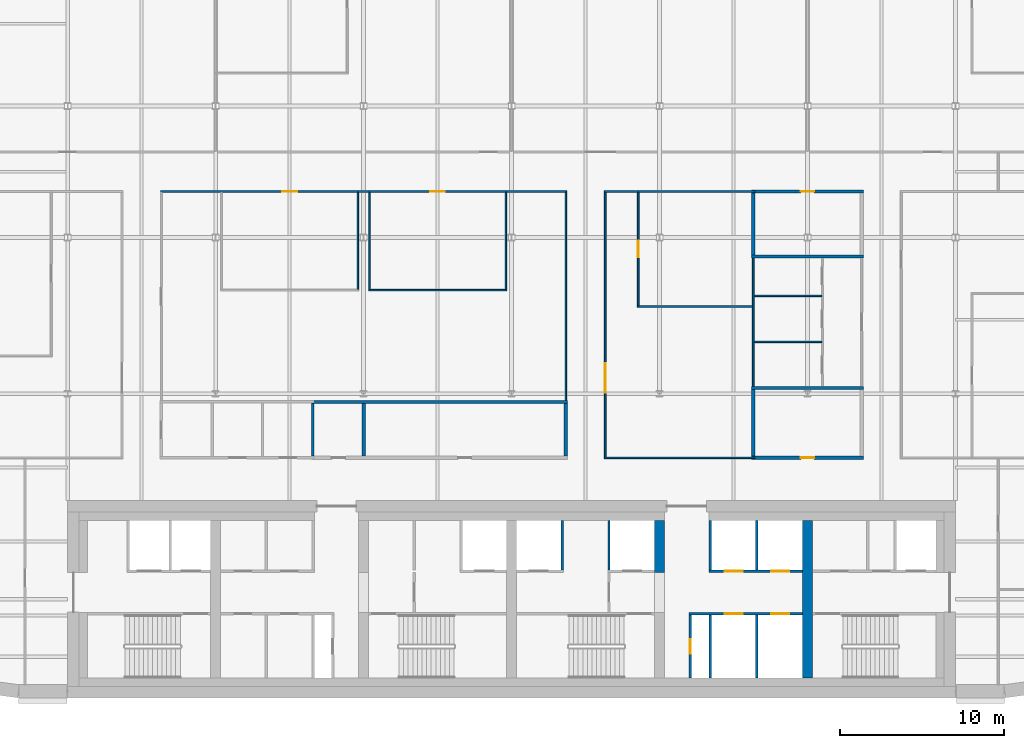
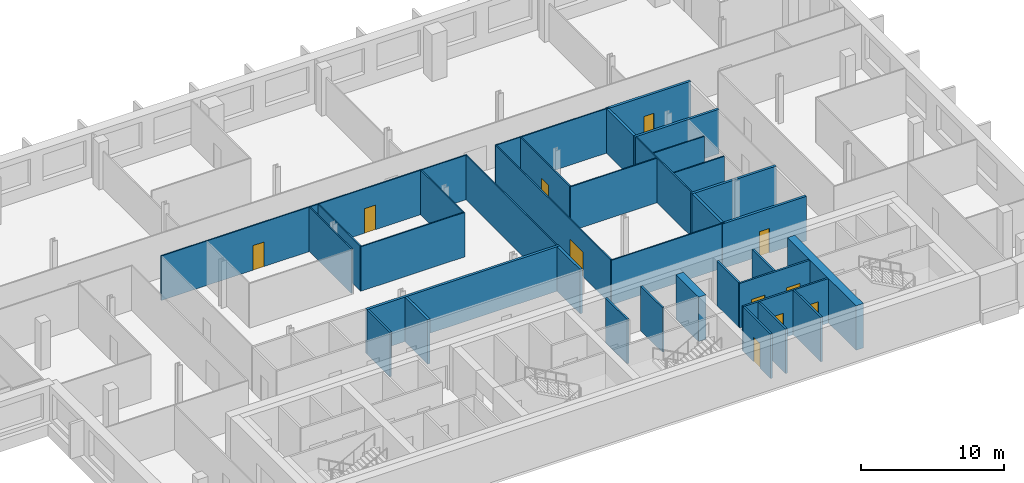
# One storey, part 9 of 17: 35 walls, 11 doors, 11 openings.
"""IFC4 building model written with IfcOpenShell, lengths in metres."""

from ifc_helpers import new_model, si_unit, direction, frame, frame_2d, origin, place, context, subcontext, project, spatial, rectangle, extrude, material, layer, layer_set, type_object, element, fill, save


model = new_model("IFC4")

# Units and contexts
model_context = context("Model", 3, precision=1e-05, world=origin(), true_north=direction((0.0, 1.0)))
body_context = subcontext(model_context, "Body", "Model", "MODEL_VIEW")
ifc_project = project(units=[si_unit("LENGTHUNIT", "METRE"), si_unit("AREAUNIT", "SQUARE_METRE"), si_unit("VOLUMEUNIT", "CUBIC_METRE"), si_unit("PLANEANGLEUNIT", "RADIAN"), si_unit("MASSUNIT", "GRAM", prefix="KILO")], contexts=[model_context])

# Site, building, storey
site_placement = place(None, origin())
site = spatial("IfcSite", under=ifc_project, at=site_placement, CompositionType="ELEMENT")
building_placement = place(site_placement, origin())
building = spatial("IfcBuilding", under=site, at=building_placement, Name="Zellij Exchange Tower", CompositionType="ELEMENT")
storey_placement = place(building_placement, frame((0.0, 0.0, 224.5)))
storey = spatial("IfcBuildingStorey", under=building, at=storey_placement, Name="L52", CompositionType="ELEMENT", Elevation=224.5)

# Walls
ifc_material_1 = material(Name="Concrete C50/60", Category="concrete")
ifc_layer_1 = layer(ifc_material_1, 0.60009765625)
ifc_layer_set_1 = layer_set([ifc_layer_1], Name="Concrete C50/60")
wall_type_1 = type_object("IfcWallType", Name="CORE-CW 600 C50/60", PredefinedType="SHEAR", material=ifc_layer_set_1)
wall_1_placement = place(storey_placement, frame((9.0, -6.375, 0.0), z_axis=(0.0, 0.0, 1.0), x_axis=(0.0, 1.0, 0.0)))
element("IfcWall", 1, at=wall_1_placement, inside=storey, type_object=wall_type_1, Name="Core cross wall pier x 9 b L52", PredefinedType="SHEAR", context=body_context, shape_type="SweptSolid", body=[
    extrude(rectangle(XDim=3.175048828125, YDim=0.60009765625, at=frame_2d((1.58740234375, 0.0))), origin(), (0.0, 0.0, 1.0), 3.800048828125),
])
wall_2_placement = place(storey_placement, frame((18.0, -12.800048828125, 0.0), z_axis=(0.0, 0.0, 1.0), x_axis=(0.0, 1.0, 0.0)))
element("IfcWall", 2, at=wall_2_placement, inside=storey, type_object=wall_type_1, Name="Core cross wall x 18 L52", PredefinedType="SHEAR", context=body_context, shape_type="SweptSolid", body=[
    extrude(rectangle(XDim=9.60009765625, YDim=0.60009765625, at=frame_2d((4.800048828125, 0.0))), origin(), (0.0, 0.0, 1.0), 3.800048828125),
])

# Wall, opening, door
ifc_material_2 = material(Name="Gypsum board partition")
ifc_layer_2 = layer(ifc_material_2, 0.14990234375)
ifc_layer_set_2 = layer_set([ifc_layer_2], Name="Gypsum board partition")
wall_type_2 = type_object("IfcWallType", Name="CORE-PW 150 Lift lobby wall", PredefinedType="PARTITIONING", material=ifc_layer_set_2)
wall_3_placement = place(storey_placement, frame((10.875, -12.800048828125, 0.0), z_axis=(0.0, 0.0, 1.0), x_axis=(0.0, 1.0, 0.0)))
wall_3 = element("IfcWall", 3, at=wall_3_placement, inside=storey, type_object=wall_type_2, Name="Lift lobby wall L52", PredefinedType="PARTITIONING", context=body_context, shape_type="SweptSolid", body=[
    extrude(rectangle(XDim=3.85009765625, YDim=0.14990234375, at=frame_2d((1.925048828125, 0.0))), origin(), (0.0, 0.0, 1.0), 3.800048828125),
])
opening_1_placement = place(wall_3_placement, frame((1.47509765625, 0.0, 0.0)))
opening_1 = element("IfcOpeningElement", 4, at=opening_1_placement, cuts=wall_3, Name="Opening CA-28.19", PredefinedType="OPENING", context=body_context, shape_type="SweptSolid", body=[
    extrude(rectangle(XDim=0.89990234375, YDim=2.10009765625, at=frame_2d((0.449951171875, 1.050048828125))), frame((0.0, 0.0869140625, 0.0), z_axis=(0.0, -1.0, 0.0), x_axis=(1.0, 0.0, 0.0)), (0.0, 0.0, 1.0), 0.173828125),
])
ifc_material_3 = material(Name="Hollow metal fire door")
door_type_1 = type_object("IfcDoorType", Name="CORE-D RD Riser door 900x2100 1.5 HR", OperationType="NOTDEFINED", PredefinedType="DOOR", material=ifc_material_3)
door_1_placement = place(opening_1_placement, origin())
door_1 = element("IfcDoor", 5, at=door_1_placement, inside=storey, type_object=door_type_1, Name="Riser door CA-28.19", OperationType="SINGLE_SWING_LEFT", OverallHeight=2.10009765625, OverallWidth=0.89990234375, PredefinedType="DOOR", context=body_context, shape_type="SweptSolid", body=[
    extrude(rectangle(XDim=0.89990234375, YDim=2.10009765625, at=frame_2d((0.449951171875, 1.050048828125))), frame((0.0, 0.02490234375, 0.0), z_axis=(0.0, -1.0, 0.0), x_axis=(1.0, 0.0, 0.0)), (0.0, 0.0, 1.0), 0.050048828125),
])
fill(opening_1, door_1)

# Walls
ifc_material_4 = material(Name="Gypsum shaft wall system")
ifc_layer_3 = layer(ifc_material_4, 0.14990234375)
ifc_layer_set_3 = layer_set([ifc_layer_3], Name="Gypsum shaft wall system")
wall_type_3 = type_object("IfcWallType", Name="CORE-PW 150 Lift shaft wall", PredefinedType="PARTITIONING", material=ifc_layer_set_3)
for number, where, z_axis, x_axis, name in (
    (6, (3.074951171875, -6.22509765625, 0.0), (0.0, 0.0, 1.0), (0.0, 1.0, 0.0), "Lift shaft wall L52"),
    (7, (5.925048828125, -6.22509765625, 0.0), (0.0, 0.0, 1.0), (0.0, 1.0, 0.0), "Lift shaft wall L52"),
    (8, (12.074951171875, -6.22509765625, 0.0), (0.0, 0.0, 1.0), (0.0, 1.0, 0.0), "Lift shaft wall L52"),
    (9, (14.925048828125, -6.22509765625, 0.0), (0.0, 0.0, 1.0), (0.0, 1.0, 0.0), "Lift shaft wall L52"),
):
    element("IfcWall", number, at=place(storey_placement, frame(where, z_axis=z_axis, x_axis=x_axis)), inside=storey, type_object=wall_type_3, Name=name, PredefinedType="PARTITIONING", context=body_context, shape_type="SweptSolid", body=[
        extrude(rectangle(XDim=3.025146484375, YDim=0.14990234375, at=frame_2d((1.5126953125, 0.0))), origin(), (0.0, 0.0, 1.0), 3.800048828125),
    ])
for number, where, z_axis, x_axis, name in (
    (10, (12.074951171875, -12.800048828125, 0.0), (0.0, 0.0, 1.0), (0.0, 1.0, 0.0), "Lift shaft wall L52"),
    (11, (14.925048828125, -12.800048828125, 0.0), (0.0, 0.0, 1.0), (0.0, 1.0, 0.0), "Lift shaft wall L52"),
):
    element("IfcWall", number, at=place(storey_placement, frame(where, z_axis=z_axis, x_axis=x_axis)), inside=storey, type_object=wall_type_3, Name=name, PredefinedType="PARTITIONING", context=body_context, shape_type="SweptSolid", body=[
        extrude(rectangle(XDim=3.85009765625, YDim=0.14990234375, at=frame_2d((1.925048828125, 0.0))), origin(), (0.0, 0.0, 1.0), 3.800048828125),
    ])

# Wall, openings, doors
wall_4_placement = place(storey_placement, frame((12.0, -6.300048828125, 0.0), z_axis=(0.0, 0.0, 1.0), x_axis=(1.0, 0.0, 0.0)))
wall_4 = element("IfcWall", 12, at=wall_4_placement, inside=storey, type_object=wall_type_3, Name="Lift shaft wall L52", PredefinedType="PARTITIONING", context=body_context, shape_type="SweptSolid", body=[
    extrude(rectangle(XDim=5.699951171875, YDim=0.14990234375, at=frame_2d((2.85009765625, 0.0))), origin(), (0.0, 0.0, 1.0), 3.800048828125),
])
opening_2_placement = place(wall_4_placement, frame((0.949951171875, 0.0, 0.0)))
opening_2 = element("IfcOpeningElement", 13, at=opening_2_placement, cuts=wall_4, Name="Opening CA-28.21", PredefinedType="OPENING", context=body_context, shape_type="SweptSolid", body=[
    extrude(rectangle(XDim=1.10009765625, YDim=2.10009765625, at=frame_2d((0.550048828125, 1.050048828125))), frame((0.0, 0.0869140625, 0.0), z_axis=(0.0, -1.0, 0.0), x_axis=(1.0, 0.0, 0.0)), (0.0, 0.0, 1.0), 0.173828125),
])
opening_3_placement = place(wall_4_placement, frame((3.800048828125, 0.0, 0.0)))
opening_3 = element("IfcOpeningElement", 14, at=opening_3_placement, cuts=wall_4, Name="Opening CA-28.23", PredefinedType="OPENING", context=body_context, shape_type="SweptSolid", body=[
    extrude(rectangle(XDim=1.10009765625, YDim=2.10009765625, at=frame_2d((0.550048828125, 1.050048828125))), frame((0.0, 0.0869140625, 0.0), z_axis=(0.0, -1.0, 0.0), x_axis=(1.0, 0.0, 0.0)), (0.0, 0.0, 1.0), 0.173828125),
])
door_type_2 = type_object("IfcDoorType", Name="CORE-D LD Lift landing door 1100x2100 1.5 HR", OperationType="NOTDEFINED", PredefinedType="DOOR", material=ifc_material_3)
door_2_placement = place(opening_2_placement, origin())
door_2 = element("IfcDoor", 15, at=door_2_placement, inside=storey, type_object=door_type_2, Name="Lift landing door CA-28.21", OperationType="SLIDING_TO_LEFT", OverallHeight=2.10009765625, OverallWidth=1.10009765625, PredefinedType="DOOR", context=body_context, shape_type="SweptSolid", body=[
    extrude(rectangle(XDim=1.10009765625, YDim=2.10009765625, at=frame_2d((0.550048828125, 1.050048828125))), frame((0.0, 0.02490234375, 0.0), z_axis=(0.0, -1.0, 0.0), x_axis=(1.0, 0.0, 0.0)), (0.0, 0.0, 1.0), 0.050048828125),
])
fill(opening_2, door_2)
door_3_placement = place(opening_3_placement, origin())
door_3 = element("IfcDoor", 16, at=door_3_placement, inside=storey, type_object=door_type_2, Name="Lift landing door CA-28.23", OperationType="SLIDING_TO_LEFT", OverallHeight=2.10009765625, OverallWidth=1.10009765625, PredefinedType="DOOR", context=body_context, shape_type="SweptSolid", body=[
    extrude(rectangle(XDim=1.10009765625, YDim=2.10009765625, at=frame_2d((0.550048828125, 1.050048828125))), frame((0.0, 0.02490234375, 0.0), z_axis=(0.0, -1.0, 0.0), x_axis=(1.0, 0.0, 0.0)), (0.0, 0.0, 1.0), 0.050048828125),
])
fill(opening_3, door_3)

wall_5_placement = place(storey_placement, frame((10.800048828125, -8.875, 0.0), z_axis=(0.0, 0.0, 1.0), x_axis=(1.0, 0.0, 0.0)))
wall_5 = element("IfcWall", 17, at=wall_5_placement, inside=storey, type_object=wall_type_3, Name="Lift shaft wall L52", PredefinedType="PARTITIONING", context=body_context, shape_type="SweptSolid", body=[
    extrude(rectangle(XDim=6.89990234375, YDim=0.14990234375, at=frame_2d((3.449951171875, 0.0))), origin(), (0.0, 0.0, 1.0), 3.800048828125),
])
opening_4_placement = place(wall_5_placement, frame((2.14990234375, 0.0, 0.0)))
opening_4 = element("IfcOpeningElement", 18, at=opening_4_placement, cuts=wall_5, Name="Opening CA-28.20", PredefinedType="OPENING", context=body_context, shape_type="SweptSolid", body=[
    extrude(rectangle(XDim=1.10009765625, YDim=2.10009765625, at=frame_2d((0.550048828125, 1.050048828125))), frame((0.0, 0.0869140625, 0.0), z_axis=(0.0, -1.0, 0.0), x_axis=(1.0, 0.0, 0.0)), (0.0, 0.0, 1.0), 0.173828125),
])
opening_5_placement = place(wall_5_placement, frame((5.0, 0.0, 0.0)))
opening_5 = element("IfcOpeningElement", 19, at=opening_5_placement, cuts=wall_5, Name="Opening CA-28.22", PredefinedType="OPENING", context=body_context, shape_type="SweptSolid", body=[
    extrude(rectangle(XDim=1.10009765625, YDim=2.10009765625, at=frame_2d((0.550048828125, 1.050048828125))), frame((0.0, 0.0869140625, 0.0), z_axis=(0.0, -1.0, 0.0), x_axis=(1.0, 0.0, 0.0)), (0.0, 0.0, 1.0), 0.173828125),
])
door_4_placement = place(opening_4_placement, origin())
door_4 = element("IfcDoor", 20, at=door_4_placement, inside=storey, type_object=door_type_2, Name="Lift landing door CA-28.20", OperationType="SLIDING_TO_RIGHT", OverallHeight=2.10009765625, OverallWidth=1.10009765625, PredefinedType="DOOR", context=body_context, shape_type="SweptSolid", body=[
    extrude(rectangle(XDim=1.10009765625, YDim=2.10009765625, at=frame_2d((0.550048828125, 1.050048828125))), frame((0.0, 0.02490234375, 0.0), z_axis=(0.0, -1.0, 0.0), x_axis=(1.0, 0.0, 0.0)), (0.0, 0.0, 1.0), 0.050048828125),
])
fill(opening_4, door_4)
door_5_placement = place(opening_5_placement, origin())
door_5 = element("IfcDoor", 21, at=door_5_placement, inside=storey, type_object=door_type_2, Name="Lift landing door CA-28.22", OperationType="SLIDING_TO_RIGHT", OverallHeight=2.10009765625, OverallWidth=1.10009765625, PredefinedType="DOOR", context=body_context, shape_type="SweptSolid", body=[
    extrude(rectangle(XDim=1.10009765625, YDim=2.10009765625, at=frame_2d((0.550048828125, 1.050048828125))), frame((0.0, 0.02490234375, 0.0), z_axis=(0.0, -1.0, 0.0), x_axis=(1.0, 0.0, 0.0)), (0.0, 0.0, 1.0), 0.050048828125),
])
fill(opening_5, door_5)

# Walls
ifc_material_5 = material(Name="Blockwork partition", Category="masonry")
ifc_layer_4 = layer(ifc_material_5, 0.199951171875)
ifc_layer_set_4 = layer_set([ifc_layer_4], Name="Blockwork partition")
wall_type_4 = type_object("IfcWallType", Name="FIT-BLOCKWORK-200", PredefinedType="PARTITIONING", material=ifc_layer_set_4)
for number, where, z_axis, x_axis, name in (
    (22, (-9.0, 0.699951171875, 0.0), (0.0, 0.0, 1.0), (0.0, 1.0, 0.0), "FIT-BLOCKWORK-200 012"),
    (23, (3.300048828125, 0.699951171875, 0.0), (0.0, 0.0, 1.0), (0.0, 1.0, 0.0), "FIT-BLOCKWORK-200 013"),
):
    element("IfcWall", number, at=place(storey_placement, frame(where, z_axis=z_axis, x_axis=x_axis)), inside=storey, type_object=wall_type_4, Name=name, PredefinedType="PARTITIONING", context=body_context, shape_type="SweptSolid", body=[
        extrude(rectangle(XDim=3.199951171875, YDim=0.199951171875, at=frame_2d((1.60009765625, 0.0))), origin(), (0.0, 0.0, 1.0), 3.800048828125),
    ])

# Wall, opening, door
wall_6_placement = place(storey_placement, frame((14.60009765625, 0.60009765625, 0.0), z_axis=(0.0, 0.0, 1.0), x_axis=(1.0, 0.0, 0.0)))
wall_6 = element("IfcWall", 24, at=wall_6_placement, inside=storey, type_object=wall_type_4, Name="FIT-BLOCKWORK-200 016", PredefinedType="PARTITIONING", context=body_context, shape_type="SweptSolid", body=[
    extrude(rectangle(XDim=6.7998046875, YDim=0.199951171875, at=frame_2d((3.39990234375, 0.0))), origin(), (0.0, 0.0, 1.0), 3.800048828125),
])
opening_6_placement = place(wall_6_placement, frame((3.0, 0.0, 0.0)))
opening_6 = element("IfcOpeningElement", 25, at=opening_6_placement, cuts=wall_6, Name="Opening O4A.07", PredefinedType="OPENING", context=body_context, shape_type="SweptSolid", body=[
    extrude(rectangle(XDim=0.800048828125, YDim=2.10009765625, at=frame_2d((0.39990234375, 1.050048828125))), frame((0.0, 0.11181640625, 0.0), z_axis=(0.0, -1.0, 0.0), x_axis=(1.0, 0.0, 0.0)), (0.0, 0.0, 1.0), 0.223876953125),
])
ifc_material_6 = material(Name="Timber door set", Category="wood")
door_type_3 = type_object("IfcDoorType", Name="FIT-D6-SERVICE-800X2100", OperationType="SINGLE_SWING_LEFT", PredefinedType="DOOR", material=ifc_material_6)
door_6_placement = place(opening_6_placement, origin())
door_6 = element("IfcDoor", 26, at=door_6_placement, inside=storey, type_object=door_type_3, Name="Door O4A.07", OperationType="SINGLE_SWING_RIGHT", OverallHeight=2.10009765625, OverallWidth=0.800048828125, PredefinedType="DOOR", context=body_context, shape_type="SweptSolid", body=[
    extrude(rectangle(XDim=0.800048828125, YDim=2.10009765625, at=frame_2d((0.39990234375, 1.050048828125))), frame((0.0, 0.02490234375, 0.0), z_axis=(0.0, -1.0, 0.0), x_axis=(1.0, 0.0, 0.0)), (0.0, 0.0, 1.0), 0.050048828125),
])
fill(opening_6, door_6)

# Walls
wall_7_placement = place(storey_placement, frame((14.699951171875, 0.699951171875, 0.0), z_axis=(0.0, 0.0, 1.0), x_axis=(0.0, 1.0, 0.0)))
element("IfcWall", 27, at=wall_7_placement, inside=storey, type_object=wall_type_4, Name="FIT-BLOCKWORK-200 017", PredefinedType="PARTITIONING", context=body_context, shape_type="SweptSolid", body=[
    extrude(rectangle(XDim=4.050048828125, YDim=0.199951171875, at=frame_2d((2.02490234375, 0.0))), origin(), (0.0, 0.0, 1.0), 3.800048828125),
])
wall_8_placement = place(storey_placement, frame((-12.155029296875, 4.0, 0.0), z_axis=(0.0, 0.0, 1.0), x_axis=(1.0, 0.0, 0.0)))
element("IfcWall", 28, at=wall_8_placement, inside=storey, type_object=wall_type_4, Name="FIT-BLOCKWORK-200 024", PredefinedType="PARTITIONING", context=body_context, shape_type="SweptSolid", body=[
    extrude(rectangle(XDim=15.554931640625, YDim=0.199951171875, at=frame_2d((7.77734375, 0.0))), origin(), (0.0, 0.0, 1.0), 3.800048828125),
])
for number, where, z_axis, x_axis, name in (
    (29, (14.60009765625, 4.85009765625, 0.0), (0.0, 0.0, 1.0), (1.0, 0.0, 0.0), "FIT-BLOCKWORK-200 026"),
    (30, (14.60009765625, 12.85009765625, 0.0), (0.0, 0.0, 1.0), (1.0, 0.0, 0.0), "FIT-BLOCKWORK-200 047"),
):
    element("IfcWall", number, at=place(storey_placement, frame(where, z_axis=z_axis, x_axis=x_axis)), inside=storey, type_object=wall_type_4, Name=name, PredefinedType="PARTITIONING", context=body_context, shape_type="SweptSolid", body=[
        extrude(rectangle(XDim=6.7998046875, YDim=0.199951171875, at=frame_2d((3.39990234375, 0.0))), origin(), (0.0, 0.0, 1.0), 3.800048828125),
    ])
wall_9_placement = place(storey_placement, frame((14.699951171875, 12.949951171875, 0.0), z_axis=(0.0, 0.0, 1.0), x_axis=(0.0, 1.0, 0.0)))
element("IfcWall", 31, at=wall_9_placement, inside=storey, type_object=wall_type_4, Name="FIT-BLOCKWORK-200 048", PredefinedType="PARTITIONING", context=body_context, shape_type="SweptSolid", body=[
    extrude(rectangle(XDim=3.75, YDim=0.199951171875, at=frame_2d((1.875, 0.0))), origin(), (0.0, 0.0, 1.0), 3.800048828125),
])

# Wall, opening, door
wall_10_placement = place(storey_placement, frame((14.60009765625, 16.800048828125, 0.0), z_axis=(0.0, 0.0, 1.0), x_axis=(1.0, 0.0, 0.0)))
wall_10 = element("IfcWall", 32, at=wall_10_placement, inside=storey, type_object=wall_type_4, Name="FIT-BLOCKWORK-200 055", PredefinedType="PARTITIONING", context=body_context, shape_type="SweptSolid", body=[
    extrude(rectangle(XDim=6.7998046875, YDim=0.199951171875, at=frame_2d((3.39990234375, 0.0))), origin(), (0.0, 0.0, 1.0), 3.800048828125),
])
opening_7_placement = place(wall_10_placement, frame((3.0, 0.0, 0.0)))
opening_7 = element("IfcOpeningElement", 33, at=opening_7_placement, cuts=wall_10, Name="Opening O4A.23", PredefinedType="OPENING", context=body_context, shape_type="SweptSolid", body=[
    extrude(rectangle(XDim=0.800048828125, YDim=2.10009765625, at=frame_2d((0.39990234375, 1.050048828125))), frame((0.0, 0.11181640625, 0.0), z_axis=(0.0, -1.0, 0.0), x_axis=(1.0, 0.0, 0.0)), (0.0, 0.0, 1.0), 0.223876953125),
])
door_7_placement = place(opening_7_placement, origin())
door_7 = element("IfcDoor", 34, at=door_7_placement, inside=storey, type_object=door_type_3, Name="Door O4A.23", OperationType="SINGLE_SWING_LEFT", OverallHeight=2.10009765625, OverallWidth=0.800048828125, PredefinedType="DOOR", context=body_context, shape_type="SweptSolid", body=[
    extrude(rectangle(XDim=0.800048828125, YDim=2.10009765625, at=frame_2d((0.39990234375, 1.050048828125))), frame((0.0, 0.02490234375, 0.0), z_axis=(0.0, -1.0, 0.0), x_axis=(1.0, 0.0, 0.0)), (0.0, 0.0, 1.0), 0.050048828125),
])
fill(opening_7, door_7)

# Wall
ifc_material_7 = material(Name="Gypsum board partition on steel studs", Category="steel")
ifc_layer_5 = layer(ifc_material_7, 0.10009765625)
ifc_layer_set_5 = layer_set([ifc_layer_5], Name="Gypsum board partition on steel studs")
wall_type_5 = type_object("IfcWallType", Name="FIT-PARTITION-100", PredefinedType="PARTITIONING", material=ifc_layer_set_5)
wall_11_placement = place(storey_placement, frame((5.64990234375, 0.60009765625, 0.0), z_axis=(0.0, 0.0, 1.0), x_axis=(1.0, 0.0, 0.0)))
element("IfcWall", 35, at=wall_11_placement, inside=storey, type_object=wall_type_5, Name="FIT-PARTITION-100 014", PredefinedType="PARTITIONING", context=body_context, shape_type="SweptSolid", body=[
    extrude(rectangle(XDim=9.150146484375, YDim=0.10009765625, at=frame_2d((4.5751953125, 0.0))), origin(), (0.0, 0.0, 1.0), 3.800048828125),
])

# Wall, opening, door
wall_12_placement = place(storey_placement, frame((5.699951171875, 0.64990234375, 0.0), z_axis=(0.0, 0.0, 1.0), x_axis=(0.0, 1.0, 0.0)))
wall_12 = element("IfcWall", 36, at=wall_12_placement, inside=storey, type_object=wall_type_5, Name="FIT-PARTITION-100 015", PredefinedType="PARTITIONING", context=body_context, shape_type="SweptSolid", body=[
    extrude(rectangle(XDim=16.10009765625, YDim=0.10009765625, at=frame_2d((8.050048828125, 0.0))), origin(), (0.0, 0.0, 1.0), 3.800048828125),
])
opening_8_placement = place(wall_12_placement, frame((3.89990234375, 0.0, 0.0)))
opening_8 = element("IfcOpeningElement", 37, at=opening_8_placement, cuts=wall_12, Name="Opening O4A.10", PredefinedType="OPENING", context=body_context, shape_type="SweptSolid", body=[
    extrude(rectangle(XDim=1.800048828125, YDim=2.10009765625, at=frame_2d((0.89990234375, 1.050048828125))), frame((0.0, 0.06201171875, 0.0), z_axis=(0.0, -1.0, 0.0), x_axis=(1.0, 0.0, 0.0)), (0.0, 0.0, 1.0), 0.1240234375),
])
door_type_4 = type_object("IfcDoorType", Name="FIT-D3-DOUBLE-1800X2100", OperationType="DOUBLE_DOOR_SINGLE_SWING", PredefinedType="DOOR", material=ifc_material_6)
door_8_placement = place(opening_8_placement, origin())
door_8 = element("IfcDoor", 38, at=door_8_placement, inside=storey, type_object=door_type_4, Name="Door O4A.10", OperationType="DOUBLE_DOOR_SINGLE_SWING", OverallHeight=2.10009765625, OverallWidth=1.800048828125, PredefinedType="DOOR", context=body_context, shape_type="SweptSolid", body=[
    extrude(rectangle(XDim=1.800048828125, YDim=2.10009765625, at=frame_2d((0.89990234375, 1.050048828125))), frame((0.0, 0.02490234375, 0.0), z_axis=(0.0, -1.0, 0.0), x_axis=(1.0, 0.0, 0.0)), (0.0, 0.0, 1.0), 0.050048828125),
])
fill(opening_8, door_8)

# Walls
wall_13_placement = place(storey_placement, frame((3.300048828125, 4.10009765625, 0.0), z_axis=(0.0, 0.0, 1.0), x_axis=(0.0, 1.0, 0.0)))
element("IfcWall", 39, at=wall_13_placement, inside=storey, type_object=wall_type_5, Name="FIT-PARTITION-100 025", PredefinedType="PARTITIONING", context=body_context, shape_type="SweptSolid", body=[
    extrude(rectangle(XDim=12.64990234375, YDim=0.10009765625, at=frame_2d((6.324951171875, 0.0))), origin(), (0.0, 0.0, 1.0), 3.800048828125),
])
wall_14_placement = place(storey_placement, frame((14.699951171875, 4.949951171875, 0.0), z_axis=(0.0, 0.0, 1.0), x_axis=(0.0, 1.0, 0.0)))
element("IfcWall", 40, at=wall_14_placement, inside=storey, type_object=wall_type_5, Name="FIT-PARTITION-100 027", PredefinedType="PARTITIONING", context=body_context, shape_type="SweptSolid", body=[
    extrude(rectangle(XDim=7.800048828125, YDim=0.10009765625, at=frame_2d((3.89990234375, 0.0))), origin(), (0.0, 0.0, 1.0), 3.800048828125),
])
wall_15_placement = place(storey_placement, frame((14.75, 7.64990234375, 0.0), z_axis=(0.0, 0.0, 1.0), x_axis=(1.0, 0.0, 0.0)))
element("IfcWall", 41, at=wall_15_placement, inside=storey, type_object=wall_type_5, Name="FIT-PARTITION-100 032", PredefinedType="PARTITIONING", context=body_context, shape_type="SweptSolid", body=[
    extrude(rectangle(XDim=4.10009765625, YDim=0.10009765625, at=frame_2d((2.050048828125, 0.0))), origin(), (0.0, 0.0, 1.0), 3.800048828125),
])
wall_16_placement = place(storey_placement, frame((7.64990234375, 9.800048828125, 0.0), z_axis=(0.0, 0.0, 1.0), x_axis=(1.0, 0.0, 0.0)))
element("IfcWall", 42, at=wall_16_placement, inside=storey, type_object=wall_type_5, Name="FIT-PARTITION-100 037", PredefinedType="PARTITIONING", context=body_context, shape_type="SweptSolid", body=[
    extrude(rectangle(XDim=7.0, YDim=0.10009765625, at=frame_2d((3.5, 0.0))), origin(), (0.0, 0.0, 1.0), 3.800048828125),
])

# Wall, opening, door
wall_17_placement = place(storey_placement, frame((7.699951171875, 9.85009765625, 0.0), z_axis=(0.0, 0.0, 1.0), x_axis=(0.0, 1.0, 0.0)))
wall_17 = element("IfcWall", 43, at=wall_17_placement, inside=storey, type_object=wall_type_5, Name="FIT-PARTITION-100 038", PredefinedType="PARTITIONING", context=body_context, shape_type="SweptSolid", body=[
    extrude(rectangle(XDim=6.89990234375, YDim=0.10009765625, at=frame_2d((3.449951171875, 0.0))), origin(), (0.0, 0.0, 1.0), 3.800048828125),
])
opening_9_placement = place(wall_17_placement, frame((2.949951171875, 0.0, 0.0)))
opening_9 = element("IfcOpeningElement", 44, at=opening_9_placement, cuts=wall_17, Name="Opening O4A.20", PredefinedType="OPENING", context=body_context, shape_type="SweptSolid", body=[
    extrude(rectangle(XDim=1.0, YDim=2.10009765625, at=frame_2d((0.5, 1.050048828125))), frame((0.0, 0.06201171875, 0.0), z_axis=(0.0, -1.0, 0.0), x_axis=(1.0, 0.0, 0.0)), (0.0, 0.0, 1.0), 0.1240234375),
])
door_type_5 = type_object("IfcDoorType", Name="FIT-D2-WIDE-1000X2100", OperationType="SINGLE_SWING_LEFT", PredefinedType="DOOR", material=ifc_material_6)
door_9_placement = place(opening_9_placement, origin())
door_9 = element("IfcDoor", 45, at=door_9_placement, inside=storey, type_object=door_type_5, Name="Door O4A.20", OperationType="SINGLE_SWING_LEFT", OverallHeight=2.10009765625, OverallWidth=1.0, PredefinedType="DOOR", context=body_context, shape_type="SweptSolid", body=[
    extrude(rectangle(XDim=1.0, YDim=2.10009765625, at=frame_2d((0.5, 1.050048828125))), frame((0.0, 0.02490234375, 0.0), z_axis=(0.0, -1.0, 0.0), x_axis=(1.0, 0.0, 0.0)), (0.0, 0.0, 1.0), 0.050048828125),
])
fill(opening_9, door_9)

# Walls
wall_18_placement = place(storey_placement, frame((14.75, 10.449951171875, 0.0), z_axis=(0.0, 0.0, 1.0), x_axis=(1.0, 0.0, 0.0)))
element("IfcWall", 46, at=wall_18_placement, inside=storey, type_object=wall_type_5, Name="FIT-PARTITION-100 039", PredefinedType="PARTITIONING", context=body_context, shape_type="SweptSolid", body=[
    extrude(rectangle(XDim=4.10009765625, YDim=0.10009765625, at=frame_2d((2.050048828125, 0.0))), origin(), (0.0, 0.0, 1.0), 3.800048828125),
])
wall_19_placement = place(storey_placement, frame((-9.35009765625, 10.85009765625, 0.0), z_axis=(0.0, 0.0, 1.0), x_axis=(0.0, 1.0, 0.0)))
element("IfcWall", 47, at=wall_19_placement, inside=storey, type_object=wall_type_5, Name="FIT-PARTITION-100 043", PredefinedType="PARTITIONING", context=body_context, shape_type="SweptSolid", body=[
    extrude(rectangle(XDim=5.89990234375, YDim=0.10009765625, at=frame_2d((2.949951171875, 0.0))), origin(), (0.0, 0.0, 1.0), 3.800048828125),
])
wall_20_placement = place(storey_placement, frame((-8.699951171875, 10.800048828125, 0.0), z_axis=(0.0, 0.0, 1.0), x_axis=(1.0, 0.0, 0.0)))
element("IfcWall", 48, at=wall_20_placement, inside=storey, type_object=wall_type_5, Name="FIT-PARTITION-100 044", PredefinedType="PARTITIONING", context=body_context, shape_type="SweptSolid", body=[
    extrude(rectangle(XDim=8.39990234375, YDim=0.10009765625, at=frame_2d((4.199951171875, 0.0))), origin(), (0.0, 0.0, 1.0), 3.800048828125),
])
for number, where, z_axis, x_axis, name in (
    (49, (-8.64990234375, 10.85009765625, 0.0), (0.0, 0.0, 1.0), (0.0, 1.0, 0.0), "FIT-PARTITION-100 045"),
    (50, (-0.35009765625, 10.85009765625, 0.0), (0.0, 0.0, 1.0), (0.0, 1.0, 0.0), "FIT-PARTITION-100 046"),
):
    element("IfcWall", number, at=place(storey_placement, frame(where, z_axis=z_axis, x_axis=x_axis)), inside=storey, type_object=wall_type_5, Name=name, PredefinedType="PARTITIONING", context=body_context, shape_type="SweptSolid", body=[
        extrude(rectangle(XDim=5.89990234375, YDim=0.10009765625, at=frame_2d((2.949951171875, 0.0))), origin(), (0.0, 0.0, 1.0), 3.800048828125),
    ])

# Wall, openings, doors
wall_21_placement = place(storey_placement, frame((-21.35009765625, 16.800048828125, 0.0), z_axis=(0.0, 0.0, 1.0), x_axis=(1.0, 0.0, 0.0)))
wall_21 = element("IfcWall", 51, at=wall_21_placement, inside=storey, type_object=wall_type_5, Name="FIT-PARTITION-100 053", PredefinedType="PARTITIONING", context=body_context, shape_type="SweptSolid", body=[
    extrude(rectangle(XDim=24.7001953125, YDim=0.10009765625, at=frame_2d((12.35009765625, 0.0))), origin(), (0.0, 0.0, 1.0), 3.800048828125),
])
opening_10_placement = place(wall_21_placement, frame((7.39990234375, 0.0, 0.0)))
opening_10 = element("IfcOpeningElement", 52, at=opening_10_placement, cuts=wall_21, Name="Opening O4A.21", PredefinedType="OPENING", context=body_context, shape_type="SweptSolid", body=[
    extrude(rectangle(XDim=0.89990234375, YDim=2.10009765625, at=frame_2d((0.449951171875, 1.050048828125))), frame((0.0, 0.06201171875, 0.0), z_axis=(0.0, -1.0, 0.0), x_axis=(1.0, 0.0, 0.0)), (0.0, 0.0, 1.0), 0.1240234375),
])
opening_11_placement = place(wall_21_placement, frame((16.39990234375, 0.0, 0.0)))
opening_11 = element("IfcOpeningElement", 53, at=opening_11_placement, cuts=wall_21, Name="Opening O4A.22", PredefinedType="OPENING", context=body_context, shape_type="SweptSolid", body=[
    extrude(rectangle(XDim=0.89990234375, YDim=2.10009765625, at=frame_2d((0.449951171875, 1.050048828125))), frame((0.0, 0.06201171875, 0.0), z_axis=(0.0, -1.0, 0.0), x_axis=(1.0, 0.0, 0.0)), (0.0, 0.0, 1.0), 0.1240234375),
])
door_type_6 = type_object("IfcDoorType", Name="FIT-D1-ROOM-900X2100", OperationType="SINGLE_SWING_LEFT", PredefinedType="DOOR", material=ifc_material_6)
door_10_placement = place(opening_10_placement, origin())
door_10 = element("IfcDoor", 54, at=door_10_placement, inside=storey, type_object=door_type_6, Name="Door O4A.21", OperationType="SINGLE_SWING_LEFT", OverallHeight=2.10009765625, OverallWidth=0.89990234375, PredefinedType="DOOR", context=body_context, shape_type="SweptSolid", body=[
    extrude(rectangle(XDim=0.89990234375, YDim=2.10009765625, at=frame_2d((0.449951171875, 1.050048828125))), frame((0.0, 0.02490234375, 0.0), z_axis=(0.0, -1.0, 0.0), x_axis=(1.0, 0.0, 0.0)), (0.0, 0.0, 1.0), 0.050048828125),
])
fill(opening_10, door_10)
door_11_placement = place(opening_11_placement, origin())
door_11 = element("IfcDoor", 55, at=door_11_placement, inside=storey, type_object=door_type_6, Name="Door O4A.22", OperationType="SINGLE_SWING_LEFT", OverallHeight=2.10009765625, OverallWidth=0.89990234375, PredefinedType="DOOR", context=body_context, shape_type="SweptSolid", body=[
    extrude(rectangle(XDim=0.89990234375, YDim=2.10009765625, at=frame_2d((0.449951171875, 1.050048828125))), frame((0.0, 0.02490234375, 0.0), z_axis=(0.0, -1.0, 0.0), x_axis=(1.0, 0.0, 0.0)), (0.0, 0.0, 1.0), 0.050048828125),
])
fill(opening_11, door_11)

# Walls
wall_22_placement = place(storey_placement, frame((5.64990234375, 16.800048828125, 0.0), z_axis=(0.0, 0.0, 1.0), x_axis=(1.0, 0.0, 0.0)))
element("IfcWall", 56, at=wall_22_placement, inside=storey, type_object=wall_type_5, Name="FIT-PARTITION-100 054", PredefinedType="PARTITIONING", context=body_context, shape_type="SweptSolid", body=[
    extrude(rectangle(XDim=9.150146484375, YDim=0.10009765625, at=frame_2d((4.5751953125, 0.0))), origin(), (0.0, 0.0, 1.0), 3.800048828125),
])
ifc_material_8 = material(Name="Gypsum board shaft-wall partition", Category="gypsum")
ifc_layer_6 = layer(ifc_material_8, 0.14990234375)
ifc_layer_set_6 = layer_set([ifc_layer_6], Name="Gypsum board shaft-wall partition")
wall_type_6 = type_object("IfcWallType", Name="FIT-PARTITION-150-EI60", PredefinedType="PARTITIONING", material=ifc_layer_set_6)
wall_23_placement = place(storey_placement, frame((-12.080078125, 0.699951171875, 0.0), z_axis=(0.0, 0.0, 1.0), x_axis=(0.0, 1.0, 0.0)))
element("IfcWall", 57, at=wall_23_placement, inside=storey, type_object=wall_type_6, Name="FIT-PARTITION-150-EI60 011", PredefinedType="PARTITIONING", context=body_context, shape_type="SweptSolid", body=[
    extrude(rectangle(XDim=3.199951171875, YDim=0.14990234375, at=frame_2d((1.60009765625, 0.0))), origin(), (0.0, 0.0, 1.0), 3.800048828125),
])

save(model, "model.ifc")
